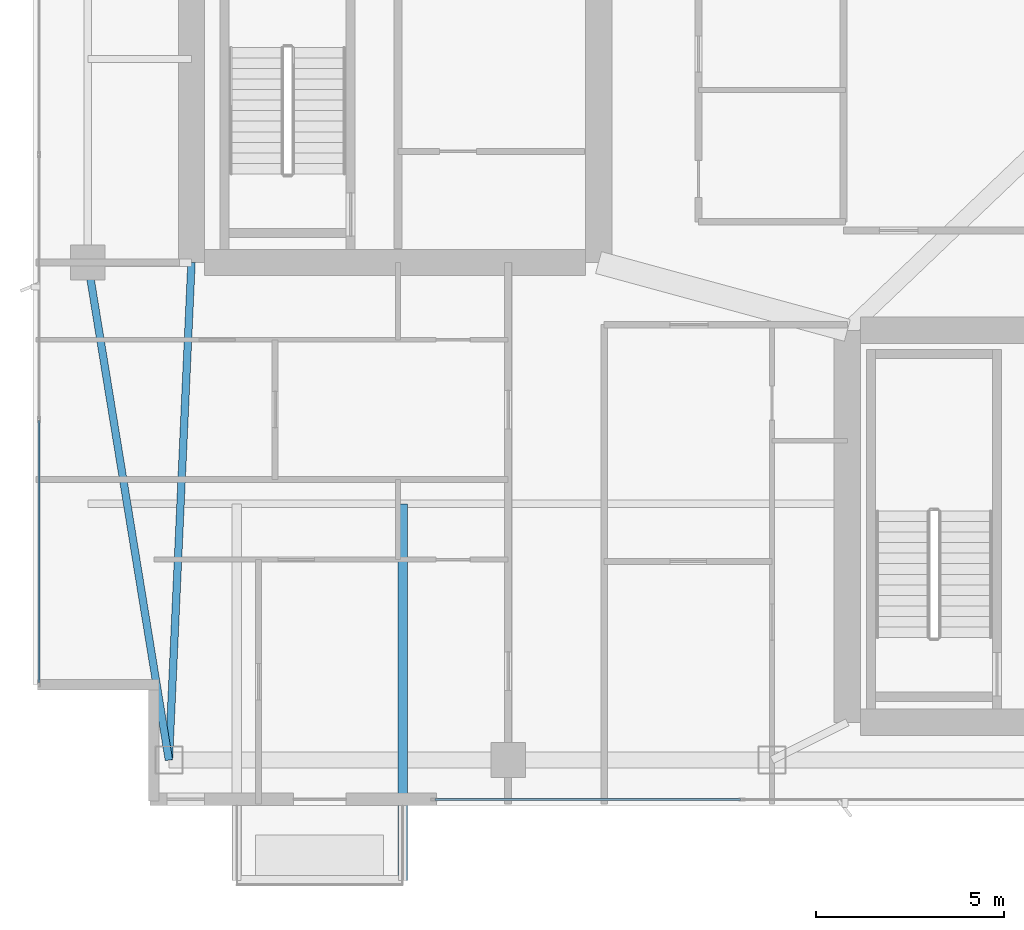
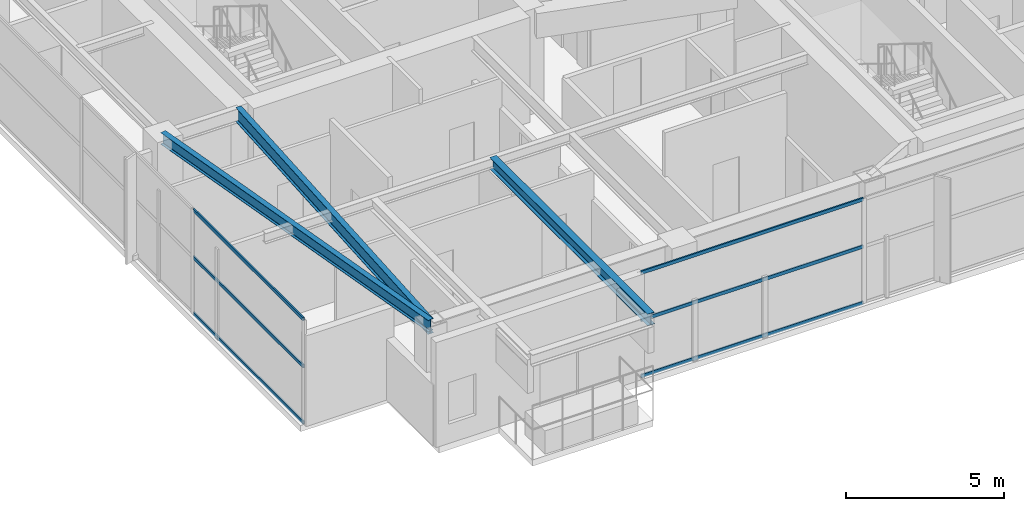
# One storey, part 4 of 29: 6 members, 3 beams, 2 elements without a shape of their own.
"""IFC4 building model written with IfcOpenShell, lengths in metres."""

from ifc_helpers import new_model, si_unit, direction, frame, origin, origin_2d, place, context, subcontext, project, spatial, hollow_rectangle, i_section, extrude, material, layer, layer_set, material_profile, profile_set, type_object, element, aggregate, save


model = new_model("IFC4")

# Units and contexts
model_context = context("Model", 3, precision=1e-05, world=origin(), true_north=direction((0.0, 1.0)))
body_context = subcontext(model_context, "Body", "Model", "MODEL_VIEW")
ifc_project = project(units=[si_unit("LENGTHUNIT", "METRE"), si_unit("AREAUNIT", "SQUARE_METRE"), si_unit("VOLUMEUNIT", "CUBIC_METRE"), si_unit("PLANEANGLEUNIT", "RADIAN"), si_unit("MASSUNIT", "GRAM", prefix="KILO")], contexts=[model_context])

# Site, building, storey
site_placement = place(None, origin())
site = spatial("IfcSite", under=ifc_project, at=site_placement, CompositionType="ELEMENT")
building_placement = place(site_placement, origin())
building = spatial("IfcBuilding", under=site, at=building_placement, Name="Calvorn Quay Hotel", CompositionType="ELEMENT")
storey_placement = place(building_placement, frame((0.0, 0.0, 259.0)))
storey = spatial("IfcBuildingStorey", under=building, at=storey_placement, Name="L64", CompositionType="ELEMENT", Elevation=259.0)

# Beams
ifc_material_1 = material(Name="Steel Q355B", Category="steel")
ifc_material_profile_1 = material_profile(ifc_material_1, i_section(OverallWidth=0.25, OverallDepth=0.449951171875, WebThickness=0.011962890625, FlangeThickness=0.01611328125, FilletRadius=0.01611328125, at=origin_2d()), Name="HN450x250x12x16")
ifc_profile_set_1 = profile_set([ifc_material_profile_1], Name="Steel Q355B")
beam_type_1 = type_object("IfcBeamType", Name="BM-CANT-BALC", PredefinedType="BEAM", material=ifc_profile_set_1)
beam_1_placement = place(storey_placement, frame((9.800048828125, 10.39990234375, 3.824951171875), z_axis=(0.0, -1.0, 0.0), x_axis=(1.0, 0.0, 0.0)))
element("IfcBeam", 1, at=beam_1_placement, inside=storey, type_object=beam_type_1, Name="Cantilever Balcony Beam BCB-L65-1B", PredefinedType="BEAM", context=body_context, shape_type="SweptSolid", body=[
    extrude(i_section(OverallWidth=0.25, OverallDepth=0.449951171875, WebThickness=0.011962890625, FlangeThickness=0.01611328125, FilletRadius=0.01611328125, at=origin_2d()), origin(), (0.0, 0.0, 1.0), 9.989990234375),
])
ifc_material_2 = material(Name="Steel Q355B", Category="steel")
ifc_material_profile_2 = material_profile(ifc_material_2, i_section(OverallWidth=0.199951171875, OverallDepth=0.550048828125, WebThickness=0.010009765625, FlangeThickness=0.01611328125, FilletRadius=0.01806640625, at=origin_2d()), Name="HN550x200x10x16")
ifc_profile_set_2 = profile_set([ifc_material_profile_2], Name="Steel Q355B")
beam_type_2 = type_object("IfcBeamType", Name="BM-GIRD-UPP", PredefinedType="BEAM", material=ifc_profile_set_2)
beam_2_placement = place(storey_placement, frame((3.60009765625, 3.60009765625, 3.77490234375), z_axis=(0.045396765494, 0.998969035397, 0.0), x_axis=(-0.998969035397, 0.045396765494, 0.0)))
element("IfcBeam", 2, at=beam_2_placement, inside=storey, type_object=beam_type_2, Name="Beam BG-L64-W0", PredefinedType="BEAM", context=body_context, shape_type="SweptSolid", body=[
    extrude(i_section(OverallWidth=0.199951171875, OverallDepth=0.550048828125, WebThickness=0.010009765625, FlangeThickness=0.01611328125, FilletRadius=0.01806640625, at=origin_2d()), origin(), (0.0, 0.0, 1.0), 13.213623046875),
])
ifc_material_3 = material(Name="Steel Q355B", Category="steel")
ifc_material_profile_3 = material_profile(ifc_material_3, i_section(OverallWidth=0.199951171875, OverallDepth=0.449951171875, WebThickness=0.009033203125, FlangeThickness=0.013916015625, FilletRadius=0.01611328125, at=origin_2d()), Name="HN450x200x9x14")
ifc_profile_set_3 = profile_set([ifc_material_profile_3], Name="Steel Q355B")
beam_type_3 = type_object("IfcBeamType", Name="BM-SPANDREL-Z3", PredefinedType="SPANDREL", material=ifc_profile_set_3)
beam_3_placement = place(storey_placement, frame((3.60009765625, 3.60009765625, 3.824951171875), z_axis=(-0.16077155054, 0.986991645627, 0.0), x_axis=(-0.986991645627, -0.16077155054, 0.0)))
element("IfcBeam", 3, at=beam_3_placement, inside=storey, type_object=beam_type_3, Name="Beam BSP-L64-W1", PredefinedType="SPANDREL", context=body_context, shape_type="SweptSolid", body=[
    extrude(i_section(OverallWidth=0.199951171875, OverallDepth=0.449951171875, WebThickness=0.009033203125, FlangeThickness=0.013916015625, FilletRadius=0.01611328125, at=origin_2d()), origin(), (0.0, 0.0, 1.0), 13.3740234375),
])

# Curtain wall, members
ifc_material_4 = material(Name="Champagne Bronze Anodised Aluminium and Low-E Glass", Category="aluminium")
ifc_layer = layer(ifc_material_4, 0.219970703125)
ifc_layer_set = layer_set([ifc_layer], Name="CW-SYS-Z4")
curtain_wall_type = type_object("IfcCurtainWallType", Name="CW-SYS-Z4", PredefinedType="NOTDEFINED", material=ifc_layer_set)
curtain_wall_1_placement = place(storey_placement, origin())
curtain_wall_1 = element("IfcCurtainWall", 4, at=curtain_wall_1_placement, inside=storey, type_object=curtain_wall_type, Name="Tower West Curtain Wall (L64)", PredefinedType="NOTDEFINED")
ifc_material_5 = material(Name="Champagne Bronze Anodised Aluminium 6063-T6", Category="aluminium")
ifc_material_profile_4 = material_profile(ifc_material_5, hollow_rectangle(XDim=0.054931640625, YDim=0.1298828125, WallThickness=0.003173828125, at=origin_2d()), Name="ALU-T130x55x3.2")
ifc_profile_set_4 = profile_set([ifc_material_profile_4], Name="Champagne Bronze Anodised Aluminium 6063-T6")
member_type = type_object("IfcMemberType", Name="CW-SYS-Z4-TRN", PredefinedType="USERDEFINED", material=ifc_profile_set_4)
member_1_placement = place(storey_placement, frame((0.14990234375, 5.659912109375, 0.030029296875), z_axis=(0.0, 1.0, 0.0), x_axis=(-1.0, 0.0, 0.0)))
member_1 = element("IfcMember", 5, at=member_1_placement, type_object=member_type, Name="CW-L64-W transom 1.1", ObjectType="TRANSOM", PredefinedType="USERDEFINED", context=body_context, shape_type="SweptSolid", body=[
    extrude(hollow_rectangle(XDim=0.054931640625, YDim=0.1298828125, WallThickness=0.003173828125, at=origin_2d()), origin(), (0.0, 0.0, 1.0), 6.943359375),
])
member_2_placement = place(storey_placement, frame((0.14990234375, 5.659912109375, 2.199951171875), z_axis=(0.0, 1.0, 0.0), x_axis=(-1.0, 0.0, 0.0)))
member_2 = element("IfcMember", 6, at=member_2_placement, type_object=member_type, Name="CW-L64-W transom 1.2", ObjectType="TRANSOM", PredefinedType="USERDEFINED", context=body_context, shape_type="SweptSolid", body=[
    extrude(hollow_rectangle(XDim=0.054931640625, YDim=0.1298828125, WallThickness=0.003173828125, at=origin_2d()), origin(), (0.0, 0.0, 1.0), 6.943359375),
])
member_3_placement = place(storey_placement, frame((0.14990234375, 5.659912109375, 4.02001953125), z_axis=(0.0, 1.0, 0.0), x_axis=(-1.0, 0.0, 0.0)))
member_3 = element("IfcMember", 7, at=member_3_placement, type_object=member_type, Name="CW-L64-W transom 1.3", ObjectType="TRANSOM", PredefinedType="USERDEFINED", context=body_context, shape_type="SweptSolid", body=[
    extrude(hollow_rectangle(XDim=0.054931640625, YDim=0.1298828125, WallThickness=0.003173828125, at=origin_2d()), origin(), (0.0, 0.0, 1.0), 6.943359375),
])
aggregate(curtain_wall_1, [member_1, member_2, member_3])

curtain_wall_2_placement = place(storey_placement, origin())
curtain_wall_2 = element("IfcCurtainWall", 8, at=curtain_wall_2_placement, inside=storey, type_object=curtain_wall_type, Name="Tower South Waterfront Curtain Wall (L64)", PredefinedType="NOTDEFINED")
member_4_placement = place(storey_placement, frame((10.659912109375, 2.550048828125, 0.030029296875), z_axis=(1.0, 0.0, 0.0), x_axis=(0.0, 1.0, 0.0)))
member_4 = element("IfcMember", 9, at=member_4_placement, type_object=member_type, Name="CW-L64-S transom 1.1", ObjectType="TRANSOM", PredefinedType="USERDEFINED", context=body_context, shape_type="SweptSolid", body=[
    extrude(hollow_rectangle(XDim=0.054931640625, YDim=0.1298828125, WallThickness=0.003173828125, at=origin_2d()), origin(), (0.0, 0.0, 1.0), 8.110107421875),
])
member_5_placement = place(storey_placement, frame((10.659912109375, 2.550048828125, 2.199951171875), z_axis=(1.0, 0.0, 0.0), x_axis=(0.0, 1.0, 0.0)))
member_5 = element("IfcMember", 10, at=member_5_placement, type_object=member_type, Name="CW-L64-S transom 1.2", ObjectType="TRANSOM", PredefinedType="USERDEFINED", context=body_context, shape_type="SweptSolid", body=[
    extrude(hollow_rectangle(XDim=0.054931640625, YDim=0.1298828125, WallThickness=0.003173828125, at=origin_2d()), origin(), (0.0, 0.0, 1.0), 8.110107421875),
])
member_6_placement = place(storey_placement, frame((10.659912109375, 2.550048828125, 4.02001953125), z_axis=(1.0, 0.0, 0.0), x_axis=(0.0, 1.0, 0.0)))
member_6 = element("IfcMember", 11, at=member_6_placement, type_object=member_type, Name="CW-L64-S transom 1.3", ObjectType="TRANSOM", PredefinedType="USERDEFINED", context=body_context, shape_type="SweptSolid", body=[
    extrude(hollow_rectangle(XDim=0.054931640625, YDim=0.1298828125, WallThickness=0.003173828125, at=origin_2d()), origin(), (0.0, 0.0, 1.0), 8.110107421875),
])
aggregate(curtain_wall_2, [member_4, member_5, member_6])

save(model, "model.ifc")
